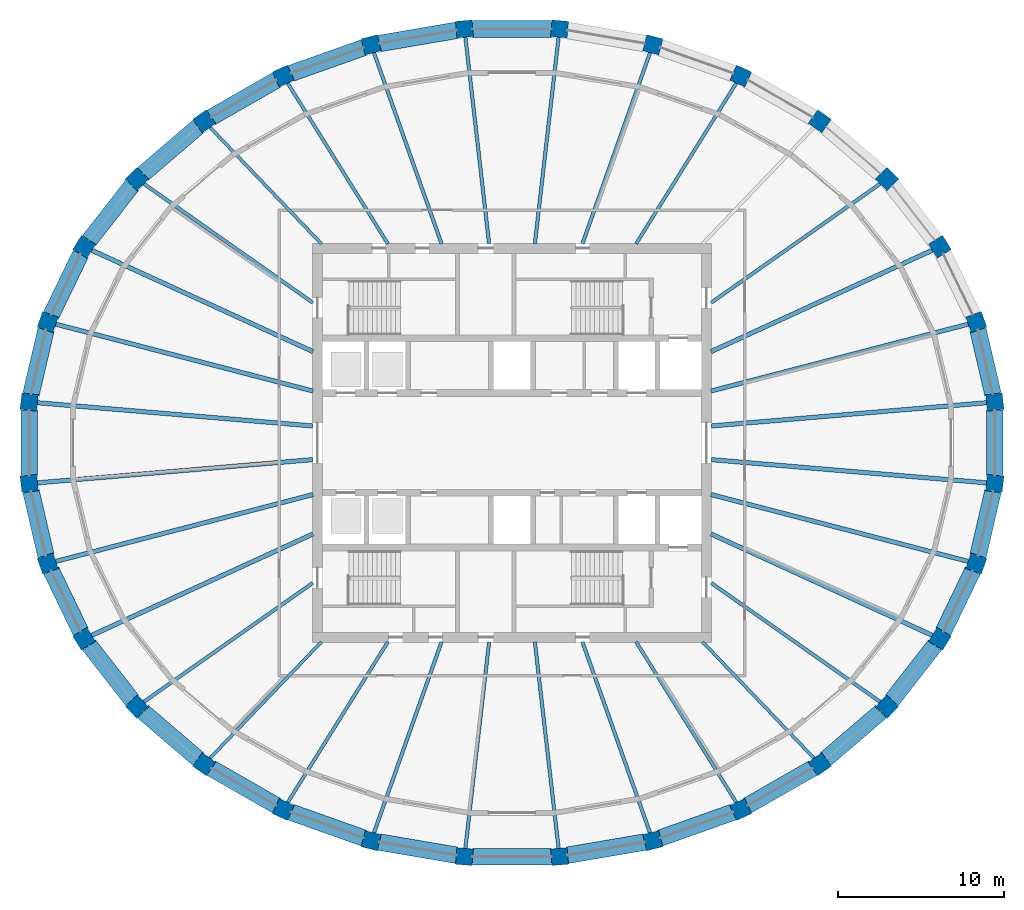
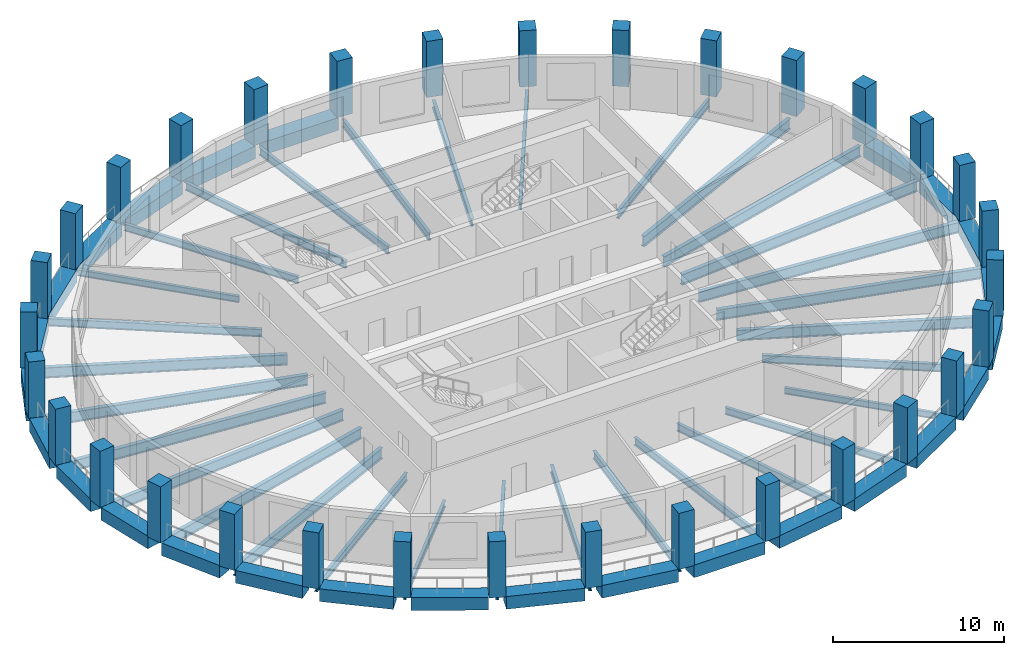
# One storey, part 1 of 10: 57 beams, 32 columns.
"""IFC4 building model written with IfcOpenShell, lengths in metres."""

from ifc_helpers import new_model, si_unit, direction, frame, origin, origin_2d, place, context, subcontext, project, spatial, rectangle, i_section, extrude, material, material_profile, profile_set, type_object, element, save


model = new_model("IFC4")

# Units and contexts
model_context = context("Model", 3, precision=1e-05, world=origin(), true_north=direction((0.0, 1.0)))
body_context = subcontext(model_context, "Body", "Model", "MODEL_VIEW")
ifc_project = project(units=[si_unit("LENGTHUNIT", "METRE"), si_unit("AREAUNIT", "SQUARE_METRE"), si_unit("VOLUMEUNIT", "CUBIC_METRE"), si_unit("PLANEANGLEUNIT", "RADIAN"), si_unit("MASSUNIT", "GRAM", prefix="KILO")], contexts=[model_context])

# Site, building, storey
site_placement = place(None, origin())
site = spatial("IfcSite", under=ifc_project, at=site_placement, CompositionType="ELEMENT")
building_placement = place(site_placement, origin())
building = spatial("IfcBuilding", under=site, at=building_placement, Name="Halqa Exchange Tower", CompositionType="ELEMENT")
storey_placement = place(building_placement, frame((0.0, 0.0, 296.300048828125)))
storey = spatial("IfcBuildingStorey", under=building, at=storey_placement, Name="L69", CompositionType="ELEMENT", Elevation=296.300048828125)

# Columns
ifc_material_1 = material(Name="Concrete C50/60", Category="concrete")
ifc_material_profile_1 = material_profile(ifc_material_1, rectangle(XDim=1.0, YDim=1.0, at=origin_2d()), Name="1000 x 1000")
ifc_profile_set_1 = profile_set([ifc_material_profile_1], Name="Concrete C50/60")
column_type = type_object("IfcColumnType", Name="RC ring column 1000 x 1000 C50/60", PredefinedType="COLUMN", material=ifc_profile_set_1)
for number, where, z_axis, x_axis, name in (
    (1, (29.043701171875, 2.451904296875, 0.0), (0.0, 0.0, 1.0), (-0.114162123735, 0.993462132899, 0.0), "Ring column 1"),
    (2, (27.927490234375, 7.261474609375, 0.0), (0.0, 0.0, 1.0), (-0.33362752424, 0.942704977747, 0.0), "Ring column 2"),
    (3, (25.73828125, 11.7919921875, 0.0), (0.0, 0.0, 1.0), (-0.529141977228, 0.848533303964, 0.0), "Ring column 3"),
    (4, (22.559814453125, 15.869384765625, 0.0), (0.0, 0.0, 1.0), (-0.691574830638, 0.722304820438, 0.0), "Ring column 4"),
    (5, (18.514404296875, 19.3369140625, 0.0), (0.0, 0.0, 1.0), (-0.817905775493, 0.575352189893, 0.0), "Ring column 5"),
    (6, (13.75732421875, 22.061279296875, 0.0), (0.0, 0.0, 1.0), (-0.909128549752, 0.416515641994, 0.0), "Ring column 6"),
    (7, (8.4716796875, 23.93798828125, 0.0), (0.0, 0.0, 1.0), (-0.967821260364, 0.251638645656, 0.0), "Ring column 7"),
    (8, (2.860595703125, 24.89453125, 0.0), (0.0, 0.0, 1.0), (-0.996456106239, 0.084114376531, 0.0), "Ring column 8"),
    (9, (-2.860595703125, 24.89453125, 0.0), (0.0, 0.0, 1.0), (-0.996456106239, -0.084114376531, 0.0), "Ring column 9"),
    (10, (-8.4716796875, 23.93798828125, 0.0), (0.0, 0.0, 1.0), (-0.967821260364, -0.251638645656, 0.0), "Ring column 10"),
    (11, (-13.75732421875, 22.061279296875, 0.0), (0.0, 0.0, 1.0), (-0.909128549752, -0.416515641994, 0.0), "Ring column 11"),
    (12, (-18.514404296875, 19.3369140625, 0.0), (0.0, 0.0, 1.0), (-0.817905775493, -0.575352189893, 0.0), "Ring column 12"),
    (13, (-22.559814453125, 15.869384765625, 0.0), (0.0, 0.0, 1.0), (-0.691574830638, -0.722304820438, 0.0), "Ring column 13"),
    (14, (-25.73828125, 11.7919921875, 0.0), (0.0, 0.0, 1.0), (-0.529141977228, -0.848533303964, 0.0), "Ring column 14"),
    (15, (-27.927490234375, 7.261474609375, 0.0), (0.0, 0.0, 1.0), (-0.33362752424, -0.942704977747, 0.0), "Ring column 15"),
    (16, (-29.043701171875, 2.451904296875, 0.0), (0.0, 0.0, 1.0), (-0.114162123735, -0.993462132899, 0.0), "Ring column 16"),
    (17, (-29.043701171875, -2.451904296875, 0.0), (0.0, 0.0, 1.0), (0.114162123735, -0.993462132899, 0.0), "Ring column 17"),
    (18, (-27.927490234375, -7.261474609375, 0.0), (0.0, 0.0, 1.0), (0.33362752424, -0.942704977747, 0.0), "Ring column 18"),
    (19, (-25.73828125, -11.7919921875, 0.0), (0.0, 0.0, 1.0), (0.529141977228, -0.848533303964, 0.0), "Ring column 19"),
    (20, (-22.559814453125, -15.869384765625, 0.0), (0.0, 0.0, 1.0), (0.691574830638, -0.722304820438, 0.0), "Ring column 20"),
    (21, (-18.514404296875, -19.3369140625, 0.0), (0.0, 0.0, 1.0), (0.817905775493, -0.575352189893, 0.0), "Ring column 21"),
    (22, (-13.75732421875, -22.061279296875, 0.0), (0.0, 0.0, 1.0), (0.909128549752, -0.416515641994, 0.0), "Ring column 22"),
    (23, (-8.4716796875, -23.93798828125, 0.0), (0.0, 0.0, 1.0), (0.967821260364, -0.251638645656, 0.0), "Ring column 23"),
    (24, (-2.860595703125, -24.89453125, 0.0), (0.0, 0.0, 1.0), (0.996456106239, -0.084114376531, 0.0), "Ring column 24"),
    (25, (2.860595703125, -24.89453125, 0.0), (0.0, 0.0, 1.0), (0.996456106239, 0.084114376531, 0.0), "Ring column 25"),
    (26, (8.4716796875, -23.93798828125, 0.0), (0.0, 0.0, 1.0), (0.967821260364, 0.251638645656, 0.0), "Ring column 26"),
    (27, (13.75732421875, -22.061279296875, 0.0), (0.0, 0.0, 1.0), (0.909128549752, 0.416515641994, 0.0), "Ring column 27"),
    (28, (18.514404296875, -19.3369140625, 0.0), (0.0, 0.0, 1.0), (0.817905775493, 0.575352189893, 0.0), "Ring column 28"),
    (29, (22.559814453125, -15.869384765625, 0.0), (0.0, 0.0, 1.0), (0.691574830638, 0.722304820438, 0.0), "Ring column 29"),
    (30, (25.73828125, -11.7919921875, 0.0), (0.0, 0.0, 1.0), (0.529141977228, 0.848533303964, 0.0), "Ring column 30"),
    (31, (27.927490234375, -7.261474609375, 0.0), (0.0, 0.0, 1.0), (0.33362752424, 0.942704977747, 0.0), "Ring column 31"),
    (32, (29.043701171875, -2.451904296875, 0.0), (0.0, 0.0, 1.0), (0.114162123735, 0.993462132899, 0.0), "Ring column 32"),
):
    element("IfcColumn", number, at=place(storey_placement, frame(where, z_axis=z_axis, x_axis=x_axis)), inside=storey, type_object=column_type, Name=name, PredefinedType="COLUMN", context=body_context, shape_type="SweptSolid", body=[
        extrude(rectangle(XDim=1.0, YDim=1.0, at=origin_2d()), origin(), (0.0, 0.0, 1.0), 4.0),
    ])

# Beams
ifc_material_2 = material(Name="Steel S355", Category="steel")
ifc_material_profile_2 = material_profile(ifc_material_2, i_section(OverallWidth=0.18994140625, OverallDepth=0.449951171875, WebThickness=0.009521484375, FlangeThickness=0.0146484375, FilletRadius=0.02099609375, at=origin_2d()), Name="IPE 450")
ifc_profile_set_2 = profile_set([ifc_material_profile_2], Name="Steel S355")
beam_type_1 = type_object("IfcBeamType", Name="Floor beam IPE 450", PredefinedType="BEAM", material=ifc_profile_set_2)
for number, where, z_axis, x_axis, name in (
    (33, (-11.462890625, 11.97216796875, -0.525146484375), (-0.691588333375, 0.722291891924, 0.0), (-0.722291891924, -0.691588333375, 0.0), "Radial beam 12"),
    (34, (-11.462890625, -11.97216796875, -0.525146484375), (-0.691588333375, -0.722291891924, 0.0), (0.722291891924, -0.691588333375, 0.0), "Radial beam 21"),
    (35, (11.462890625, -11.97216796875, -0.525146484375), (0.691588333375, -0.722291891924, 0.0), (0.722291891924, 0.691588333375, 0.0), "Radial beam 28"),
):
    element("IfcBeam", number, at=place(storey_placement, frame(where, z_axis=z_axis, x_axis=x_axis)), inside=storey, type_object=beam_type_1, Name=name, PredefinedType="BEAM", context=body_context, shape_type="SweptSolid", body=[
        extrude(i_section(OverallWidth=0.18994140625, OverallDepth=0.449951171875, WebThickness=0.009521484375, FlangeThickness=0.0146484375, FilletRadius=0.02099609375, at=origin_2d()), origin(), (0.0, 0.0, 1.0), 9.820068359375),
    ])
ifc_material_profile_3 = material_profile(ifc_material_2, i_section(OverallWidth=0.199951171875, OverallDepth=0.5, WebThickness=0.01025390625, FlangeThickness=0.01611328125, FilletRadius=0.02099609375, at=origin_2d()), Name="IPE 500")
ifc_profile_set_3 = profile_set([ifc_material_profile_3], Name="Steel S355")
beam_type_2 = type_object("IfcBeamType", Name="Floor beam IPE 500", PredefinedType="BEAM", material=ifc_profile_set_3)
for number, where, z_axis, x_axis, name in (
    (36, (7.4658203125, 11.97216796875, -0.550048828125), (0.529140986863, 0.84853392155, 0.0), (-0.84853392155, 0.529140986863, 0.0), "Radial beam 6"),
    (37, (-7.4658203125, 11.97216796875, -0.550048828125), (-0.529140986863, 0.84853392155, 0.0), (-0.84853392155, -0.529140986863, 0.0), "Radial beam 11"),
    (38, (-7.4658203125, -11.97216796875, -0.550048828125), (-0.529140986863, -0.84853392155, 0.0), (0.84853392155, -0.529140986863, 0.0), "Radial beam 22"),
    (39, (7.4658203125, -11.97216796875, -0.550048828125), (0.529140986863, -0.84853392155, 0.0), (0.84853392155, 0.529140986863, 0.0), "Radial beam 27"),
):
    element("IfcBeam", number, at=place(storey_placement, frame(where, z_axis=z_axis, x_axis=x_axis)), inside=storey, type_object=beam_type_2, Name=name, PredefinedType="BEAM", context=body_context, shape_type="SweptSolid", body=[
        extrude(i_section(OverallWidth=0.199951171875, OverallDepth=0.5, WebThickness=0.01025390625, FlangeThickness=0.01611328125, FilletRadius=0.02099609375, at=origin_2d()), origin(), (0.0, 0.0, 1.0), 11.513916015625),
    ])
ifc_material_profile_4 = material_profile(ifc_material_2, i_section(OverallWidth=0.2099609375, OverallDepth=0.550048828125, WebThickness=0.010986328125, FlangeThickness=0.01708984375, FilletRadius=0.02392578125, at=origin_2d()), Name="IPE 550")
ifc_profile_set_4 = profile_set([ifc_material_profile_4], Name="Steel S355")
beam_type_3 = type_object("IfcBeamType", Name="Floor beam IPE 550", PredefinedType="BEAM", material=ifc_profile_set_4)
beam_1_placement = place(storey_placement, frame((11.97265625, 8.422119140625, -0.574951171875), z_axis=(0.817911036207, 0.575344711326, 0.0), x_axis=(-0.575344711326, 0.817911036207, 0.0)))
element("IfcBeam", 40, at=beam_1_placement, inside=storey, type_object=beam_type_3, Name="Radial beam 4", PredefinedType="BEAM", context=body_context, shape_type="SweptSolid", body=[
    extrude(i_section(OverallWidth=0.2099609375, OverallDepth=0.550048828125, WebThickness=0.010986328125, FlangeThickness=0.01708984375, FilletRadius=0.02392578125, at=origin_2d()), origin(), (0.0, 0.0, 1.0), 12.568115234375),
])
beam_2_placement = place(storey_placement, frame((4.23681640625, 11.971923828125, -0.574951171875), z_axis=(0.333635823511, 0.942702040557, 0.0), x_axis=(-0.942702040557, 0.333635823511, 0.0)))
element("IfcBeam", 41, at=beam_2_placement, inside=storey, type_object=beam_type_3, Name="Radial beam 7", PredefinedType="BEAM", context=body_context, shape_type="SweptSolid", body=[
    extrude(i_section(OverallWidth=0.2099609375, OverallDepth=0.550048828125, WebThickness=0.010986328125, FlangeThickness=0.01708984375, FilletRadius=0.02392578125, at=origin_2d()), origin(), (0.0, 0.0, 1.0), 12.319091796875),
])
for number, where, z_axis, x_axis, name in (
    (42, (1.375732421875, 11.9716796875, -0.574951171875), (0.114150341895, 0.99346348672, 0.0), (-0.99346348672, 0.114150341895, 0.0), "Radial beam 8"),
    (43, (-1.375732421875, 11.9716796875, -0.574951171875), (-0.114150341895, 0.99346348672, 0.0), (-0.99346348672, -0.114150341895, 0.0), "Radial beam 9"),
):
    element("IfcBeam", number, at=place(storey_placement, frame(where, z_axis=z_axis, x_axis=x_axis)), inside=storey, type_object=beam_type_3, Name=name, PredefinedType="BEAM", context=body_context, shape_type="SweptSolid", body=[
        extrude(i_section(OverallWidth=0.2099609375, OverallDepth=0.550048828125, WebThickness=0.010986328125, FlangeThickness=0.01708984375, FilletRadius=0.02392578125, at=origin_2d()), origin(), (0.0, 0.0, 1.0), 12.6357421875),
    ])
beam_3_placement = place(storey_placement, frame((-4.23681640625, 11.971923828125, -0.574951171875), z_axis=(-0.333635823511, 0.942702040557, 0.0), x_axis=(-0.942702040557, -0.333635823511, 0.0)))
element("IfcBeam", 44, at=beam_3_placement, inside=storey, type_object=beam_type_3, Name="Radial beam 10", PredefinedType="BEAM", context=body_context, shape_type="SweptSolid", body=[
    extrude(i_section(OverallWidth=0.2099609375, OverallDepth=0.550048828125, WebThickness=0.010986328125, FlangeThickness=0.01708984375, FilletRadius=0.02392578125, at=origin_2d()), origin(), (0.0, 0.0, 1.0), 12.319091796875),
])
for number, where, z_axis, x_axis, name in (
    (45, (-11.97265625, 8.422119140625, -0.574951171875), (-0.817911036207, 0.575344711326, 0.0), (-0.575344711326, -0.817911036207, 0.0), "Radial beam 13"),
    (46, (-11.97265625, -8.422119140625, -0.574951171875), (-0.817911036207, -0.575344711326, 0.0), (0.575344711326, -0.817911036207, 0.0), "Radial beam 20"),
):
    element("IfcBeam", number, at=place(storey_placement, frame(where, z_axis=z_axis, x_axis=x_axis)), inside=storey, type_object=beam_type_3, Name=name, PredefinedType="BEAM", context=body_context, shape_type="SweptSolid", body=[
        extrude(i_section(OverallWidth=0.2099609375, OverallDepth=0.550048828125, WebThickness=0.010986328125, FlangeThickness=0.01708984375, FilletRadius=0.02392578125, at=origin_2d()), origin(), (0.0, 0.0, 1.0), 12.568115234375),
    ])
beam_4_placement = place(storey_placement, frame((-4.23681640625, -11.971923828125, -0.574951171875), z_axis=(-0.333635823511, -0.942702040557, 0.0), x_axis=(0.942702040557, -0.333635823511, 0.0)))
element("IfcBeam", 47, at=beam_4_placement, inside=storey, type_object=beam_type_3, Name="Radial beam 23", PredefinedType="BEAM", context=body_context, shape_type="SweptSolid", body=[
    extrude(i_section(OverallWidth=0.2099609375, OverallDepth=0.550048828125, WebThickness=0.010986328125, FlangeThickness=0.01708984375, FilletRadius=0.02392578125, at=origin_2d()), origin(), (0.0, 0.0, 1.0), 12.319091796875),
])
for number, where, z_axis, x_axis, name in (
    (48, (-1.375732421875, -11.9716796875, -0.574951171875), (-0.114150341895, -0.99346348672, 0.0), (0.99346348672, -0.114150341895, 0.0), "Radial beam 24"),
    (49, (1.375732421875, -11.9716796875, -0.574951171875), (0.114150341895, -0.99346348672, 0.0), (0.99346348672, 0.114150341895, 0.0), "Radial beam 25"),
):
    element("IfcBeam", number, at=place(storey_placement, frame(where, z_axis=z_axis, x_axis=x_axis)), inside=storey, type_object=beam_type_3, Name=name, PredefinedType="BEAM", context=body_context, shape_type="SweptSolid", body=[
        extrude(i_section(OverallWidth=0.2099609375, OverallDepth=0.550048828125, WebThickness=0.010986328125, FlangeThickness=0.01708984375, FilletRadius=0.02392578125, at=origin_2d()), origin(), (0.0, 0.0, 1.0), 12.6357421875),
    ])
beam_5_placement = place(storey_placement, frame((4.23681640625, -11.971923828125, -0.574951171875), z_axis=(0.333635823511, -0.942702040557, 0.0), x_axis=(0.942702040557, 0.333635823511, 0.0)))
element("IfcBeam", 50, at=beam_5_placement, inside=storey, type_object=beam_type_3, Name="Radial beam 26", PredefinedType="BEAM", context=body_context, shape_type="SweptSolid", body=[
    extrude(i_section(OverallWidth=0.2099609375, OverallDepth=0.550048828125, WebThickness=0.010986328125, FlangeThickness=0.01708984375, FilletRadius=0.02392578125, at=origin_2d()), origin(), (0.0, 0.0, 1.0), 12.319091796875),
])
beam_6_placement = place(storey_placement, frame((11.97265625, -8.422119140625, -0.574951171875), z_axis=(0.817911036207, -0.575344711326, 0.0), x_axis=(0.575344711326, 0.817911036207, 0.0)))
element("IfcBeam", 51, at=beam_6_placement, inside=storey, type_object=beam_type_3, Name="Radial beam 29", PredefinedType="BEAM", context=body_context, shape_type="SweptSolid", body=[
    extrude(i_section(OverallWidth=0.2099609375, OverallDepth=0.550048828125, WebThickness=0.010986328125, FlangeThickness=0.01708984375, FilletRadius=0.02392578125, at=origin_2d()), origin(), (0.0, 0.0, 1.0), 12.568115234375),
])
ifc_material_profile_5 = material_profile(ifc_material_2, i_section(OverallWidth=0.264892578125, OverallDepth=0.7529296875, WebThickness=0.01318359375, FlangeThickness=0.01708984375, FilletRadius=0.01708984375, at=origin_2d()), Name="IPE 750x147")
ifc_profile_set_5 = profile_set([ifc_material_profile_5], Name="Steel S355")
beam_type_4 = type_object("IfcBeamType", Name="Floor beam IPE 750x147", PredefinedType="BEAM", material=ifc_profile_set_5)
beam_7_placement = place(storey_placement, frame((11.972900390625, 1.0107421875, -0.676513671875), z_axis=(0.996455157538, 0.084125614508, 0.0), x_axis=(-0.084125614508, 0.996455157538, 0.0)))
element("IfcBeam", 52, at=beam_7_placement, inside=storey, type_object=beam_type_4, Name="Radial beam 1", PredefinedType="BEAM", context=body_context, shape_type="SweptSolid", body=[
    extrude(i_section(OverallWidth=0.264892578125, OverallDepth=0.7529296875, WebThickness=0.01318359375, FlangeThickness=0.01708984375, FilletRadius=0.01708984375, at=origin_2d()), origin(), (0.0, 0.0, 1.0), 16.759521484375),
])
beam_8_placement = place(storey_placement, frame((11.97265625, 3.113037109375, -0.676513671875), z_axis=(0.967817635261, 0.251652587662, 0.0), x_axis=(-0.251652587662, 0.967817635261, 0.0)))
element("IfcBeam", 53, at=beam_8_placement, inside=storey, type_object=beam_type_4, Name="Radial beam 2", PredefinedType="BEAM", context=body_context, shape_type="SweptSolid", body=[
    extrude(i_section(OverallWidth=0.264892578125, OverallDepth=0.7529296875, WebThickness=0.01318359375, FlangeThickness=0.01708984375, FilletRadius=0.01708984375, at=origin_2d()), origin(), (0.0, 0.0, 1.0), 16.111328125),
])
for number, where, z_axis, x_axis, name in (
    (54, (11.972412109375, 5.485107421875, -0.676513671875), (0.909124046838, 0.416525470363, 0.0), (-0.416525470363, 0.909124046838, 0.0), "Radial beam 3"),
    (55, (-11.972412109375, 5.485107421875, -0.676513671875), (-0.909124046838, 0.416525470363, 0.0), (-0.416525470363, -0.909124046838, 0.0), "Radial beam 14"),
):
    element("IfcBeam", number, at=place(storey_placement, frame(where, z_axis=z_axis, x_axis=x_axis)), inside=storey, type_object=beam_type_4, Name=name, PredefinedType="BEAM", context=body_context, shape_type="SweptSolid", body=[
        extrude(i_section(OverallWidth=0.264892578125, OverallDepth=0.7529296875, WebThickness=0.01318359375, FlangeThickness=0.01708984375, FilletRadius=0.01708984375, at=origin_2d()), origin(), (0.0, 0.0, 1.0), 14.765869140625),
    ])
beam_9_placement = place(storey_placement, frame((-11.97265625, 3.113037109375, -0.676513671875), z_axis=(-0.967817635261, 0.251652587662, 0.0), x_axis=(-0.251652587662, -0.967817635261, 0.0)))
element("IfcBeam", 56, at=beam_9_placement, inside=storey, type_object=beam_type_4, Name="Radial beam 15", PredefinedType="BEAM", context=body_context, shape_type="SweptSolid", body=[
    extrude(i_section(OverallWidth=0.264892578125, OverallDepth=0.7529296875, WebThickness=0.01318359375, FlangeThickness=0.01708984375, FilletRadius=0.01708984375, at=origin_2d()), origin(), (0.0, 0.0, 1.0), 16.111328125),
])
for number, where, z_axis, x_axis, name in (
    (57, (-11.972900390625, 1.0107421875, -0.676513671875), (-0.996455157538, 0.084125614508, 0.0), (-0.084125614508, -0.996455157538, 0.0), "Radial beam 16"),
    (58, (-11.972900390625, -1.0107421875, -0.676513671875), (-0.996455157538, -0.084125614508, 0.0), (0.084125614508, -0.996455157538, 0.0), "Radial beam 17"),
):
    element("IfcBeam", number, at=place(storey_placement, frame(where, z_axis=z_axis, x_axis=x_axis)), inside=storey, type_object=beam_type_4, Name=name, PredefinedType="BEAM", context=body_context, shape_type="SweptSolid", body=[
        extrude(i_section(OverallWidth=0.264892578125, OverallDepth=0.7529296875, WebThickness=0.01318359375, FlangeThickness=0.01708984375, FilletRadius=0.01708984375, at=origin_2d()), origin(), (0.0, 0.0, 1.0), 16.759521484375),
    ])
beam_10_placement = place(storey_placement, frame((-11.97265625, -3.113037109375, -0.676513671875), z_axis=(-0.967817635261, -0.251652587662, 0.0), x_axis=(0.251652587662, -0.967817635261, 0.0)))
element("IfcBeam", 59, at=beam_10_placement, inside=storey, type_object=beam_type_4, Name="Radial beam 18", PredefinedType="BEAM", context=body_context, shape_type="SweptSolid", body=[
    extrude(i_section(OverallWidth=0.264892578125, OverallDepth=0.7529296875, WebThickness=0.01318359375, FlangeThickness=0.01708984375, FilletRadius=0.01708984375, at=origin_2d()), origin(), (0.0, 0.0, 1.0), 16.111328125),
])
for number, where, z_axis, x_axis, name in (
    (60, (-11.972412109375, -5.485107421875, -0.676513671875), (-0.909124046838, -0.416525470363, 0.0), (0.416525470363, -0.909124046838, 0.0), "Radial beam 19"),
    (61, (11.972412109375, -5.485107421875, -0.676513671875), (0.909124046838, -0.416525470363, 0.0), (0.416525470363, 0.909124046838, 0.0), "Radial beam 30"),
):
    element("IfcBeam", number, at=place(storey_placement, frame(where, z_axis=z_axis, x_axis=x_axis)), inside=storey, type_object=beam_type_4, Name=name, PredefinedType="BEAM", context=body_context, shape_type="SweptSolid", body=[
        extrude(i_section(OverallWidth=0.264892578125, OverallDepth=0.7529296875, WebThickness=0.01318359375, FlangeThickness=0.01708984375, FilletRadius=0.01708984375, at=origin_2d()), origin(), (0.0, 0.0, 1.0), 14.765869140625),
    ])
beam_11_placement = place(storey_placement, frame((11.97265625, -3.113037109375, -0.676513671875), z_axis=(0.967817635261, -0.251652587662, 0.0), x_axis=(0.251652587662, 0.967817635261, 0.0)))
element("IfcBeam", 62, at=beam_11_placement, inside=storey, type_object=beam_type_4, Name="Radial beam 31", PredefinedType="BEAM", context=body_context, shape_type="SweptSolid", body=[
    extrude(i_section(OverallWidth=0.264892578125, OverallDepth=0.7529296875, WebThickness=0.01318359375, FlangeThickness=0.01708984375, FilletRadius=0.01708984375, at=origin_2d()), origin(), (0.0, 0.0, 1.0), 16.111328125),
])
beam_12_placement = place(storey_placement, frame((11.972900390625, -1.0107421875, -0.676513671875), z_axis=(0.996455157538, -0.084125614508, 0.0), x_axis=(0.084125614508, 0.996455157538, 0.0)))
element("IfcBeam", 63, at=beam_12_placement, inside=storey, type_object=beam_type_4, Name="Radial beam 32", PredefinedType="BEAM", context=body_context, shape_type="SweptSolid", body=[
    extrude(i_section(OverallWidth=0.264892578125, OverallDepth=0.7529296875, WebThickness=0.01318359375, FlangeThickness=0.01708984375, FilletRadius=0.01708984375, at=origin_2d()), origin(), (0.0, 0.0, 1.0), 16.759521484375),
])
ifc_material_3 = material(Name="Concrete C60/75", Category="concrete")
ifc_material_profile_6 = material_profile(ifc_material_3, rectangle(XDim=1.0, YDim=0.89990234375, at=origin_2d()), Name="1000 x 900")
ifc_profile_set_6 = profile_set([ifc_material_profile_6], Name="Concrete C60/75")
beam_type_5 = type_object("IfcBeamType", Name="RC spandrel beam 1000 x 900 C60/75", PredefinedType="SPANDREL", material=ifc_profile_set_6)
beam_13_placement = place(storey_placement, frame((28.936279296875, 2.91455078125, -0.449951171875), z_axis=(-0.226066435944, 0.974111886048, 0.0), x_axis=(-0.974111886048, -0.226066435944, 0.0)))
element("IfcBeam", 64, at=beam_13_placement, inside=storey, type_object=beam_type_5, Name="Spandrel 1", PredefinedType="SPANDREL", context=body_context, shape_type="SweptSolid", body=[
    extrude(rectangle(XDim=1.0, YDim=0.89990234375, at=origin_2d()), origin(), (0.0, 0.0, 1.0), 3.98828125),
])
beam_14_placement = place(storey_placement, frame((2.38671875, 24.89453125, -0.449951171875), z_axis=(-1.0, 0.0, 0.0), x_axis=(0.0, -1.0, 0.0)))
element("IfcBeam", 65, at=beam_14_placement, inside=storey, type_object=beam_type_5, Name="Spandrel 8", PredefinedType="SPANDREL", context=body_context, shape_type="SweptSolid", body=[
    extrude(rectangle(XDim=1.0, YDim=0.89990234375, at=origin_2d()), origin(), (0.0, 0.0, 1.0), 4.7734375),
])
beam_15_placement = place(storey_placement, frame((-3.327880859375, 24.814697265625, -0.449951171875), z_axis=(-0.985779293953, -0.168045183248, 0.0), x_axis=(0.168045183248, -0.985779293953, 0.0)))
element("IfcBeam", 66, at=beam_15_placement, inside=storey, type_object=beam_type_5, Name="Spandrel 9", PredefinedType="SPANDREL", context=body_context, shape_type="SweptSolid", body=[
    extrude(rectangle(XDim=1.0, YDim=0.89990234375, at=origin_2d()), origin(), (0.0, 0.0, 1.0), 4.743408203125),
])
beam_16_placement = place(storey_placement, frame((-8.91748046875, 23.779541015625, -0.449951171875), z_axis=(-0.942367036973, -0.334580883535, 0.0), x_axis=(0.334580883535, -0.942367036973, 0.0)))
element("IfcBeam", 67, at=beam_16_placement, inside=storey, type_object=beam_type_5, Name="Spandrel 10", PredefinedType="SPANDREL", context=body_context, shape_type="SweptSolid", body=[
    extrude(rectangle(XDim=1.0, YDim=0.89990234375, at=origin_2d()), origin(), (0.0, 0.0, 1.0), 4.662109375),
])
beam_17_placement = place(storey_placement, frame((-14.169189453125, 21.825439453125, -0.449951171875), z_axis=(-0.867765502357, -0.496973875489, 0.0), x_axis=(0.496973875489, -0.867765502357, 0.0)))
element("IfcBeam", 68, at=beam_17_placement, inside=storey, type_object=beam_type_5, Name="Spandrel 11", PredefinedType="SPANDREL", context=body_context, shape_type="SweptSolid", body=[
    extrude(rectangle(XDim=1.0, YDim=0.89990234375, at=origin_2d()), origin(), (0.0, 0.0, 1.0), 4.533203125),
])
beam_18_placement = place(storey_placement, frame((-18.875, 19.02783203125, -0.449951171875), z_axis=(-0.759244795716, -0.650805147627, 0.0), x_axis=(0.650805147627, -0.759244795716, 0.0)))
element("IfcBeam", 69, at=beam_18_placement, inside=storey, type_object=beam_type_5, Name="Spandrel 12", PredefinedType="SPANDREL", context=body_context, shape_type="SweptSolid", body=[
    extrude(rectangle(XDim=1.0, YDim=0.89990234375, at=origin_2d()), origin(), (0.0, 0.0, 1.0), 4.37890625),
])
beam_19_placement = place(storey_placement, frame((-22.850830078125, 15.49560546875, -0.449951171875), z_axis=(-0.614849113514, -0.788644766426, 0.0), x_axis=(0.788644766426, -0.614849113514, 0.0)))
element("IfcBeam", 70, at=beam_19_placement, inside=storey, type_object=beam_type_5, Name="Spandrel 13", PredefinedType="SPANDREL", context=body_context, shape_type="SweptSolid", body=[
    extrude(rectangle(XDim=1.0, YDim=0.89990234375, at=origin_2d()), origin(), (0.0, 0.0, 1.0), 4.22119140625),
])
beam_20_placement = place(storey_placement, frame((-25.944580078125, 11.364990234375, -0.449951171875), z_axis=(-0.435091897701, -0.900386050844, 0.0), x_axis=(0.900386050844, -0.435091897701, 0.0)))
element("IfcBeam", 71, at=beam_20_placement, inside=storey, type_object=beam_type_5, Name="Spandrel 14", PredefinedType="SPANDREL", context=body_context, shape_type="SweptSolid", body=[
    extrude(rectangle(XDim=1.0, YDim=0.89990234375, at=origin_2d()), origin(), (0.0, 0.0, 1.0), 4.082275390625),
])
beam_21_placement = place(storey_placement, frame((-28.03466796875, 6.799560546875, -0.449951171875), z_axis=(-0.226066435944, -0.974111886048, 0.0), x_axis=(0.974111886048, -0.226066435944, 0.0)))
element("IfcBeam", 72, at=beam_21_placement, inside=storey, type_object=beam_type_5, Name="Spandrel 15", PredefinedType="SPANDREL", context=body_context, shape_type="SweptSolid", body=[
    extrude(rectangle(XDim=1.0, YDim=0.89990234375, at=origin_2d()), origin(), (0.0, 0.0, 1.0), 3.98828125),
])
beam_22_placement = place(storey_placement, frame((-29.043701171875, 1.9765625, -0.449951171875), z_axis=(0.0, -1.0, 0.0), x_axis=(1.0, 0.0, 0.0)))
element("IfcBeam", 73, at=beam_22_placement, inside=storey, type_object=beam_type_5, Name="Spandrel 16", PredefinedType="SPANDREL", context=body_context, shape_type="SweptSolid", body=[
    extrude(rectangle(XDim=1.0, YDim=0.89990234375, at=origin_2d()), origin(), (0.0, 0.0, 1.0), 3.953125),
])
beam_23_placement = place(storey_placement, frame((-28.936279296875, -2.91455078125, -0.449951171875), z_axis=(0.226066435944, -0.974111886048, 0.0), x_axis=(0.974111886048, 0.226066435944, 0.0)))
element("IfcBeam", 74, at=beam_23_placement, inside=storey, type_object=beam_type_5, Name="Spandrel 17", PredefinedType="SPANDREL", context=body_context, shape_type="SweptSolid", body=[
    extrude(rectangle(XDim=1.0, YDim=0.89990234375, at=origin_2d()), origin(), (0.0, 0.0, 1.0), 3.98828125),
])
beam_24_placement = place(storey_placement, frame((-27.720703125, -7.689453125, -0.449951171875), z_axis=(0.435091897701, -0.900386050844, 0.0), x_axis=(0.900386050844, 0.435091897701, 0.0)))
element("IfcBeam", 75, at=beam_24_placement, inside=storey, type_object=beam_type_5, Name="Spandrel 18", PredefinedType="SPANDREL", context=body_context, shape_type="SweptSolid", body=[
    extrude(rectangle(XDim=1.0, YDim=0.89990234375, at=origin_2d()), origin(), (0.0, 0.0, 1.0), 4.082275390625),
])
beam_25_placement = place(storey_placement, frame((-25.4462890625, -12.16650390625, -0.449951171875), z_axis=(0.614849113514, -0.788644766426, 0.0), x_axis=(0.788644766426, 0.614849113514, 0.0)))
element("IfcBeam", 76, at=beam_25_placement, inside=storey, type_object=beam_type_5, Name="Spandrel 19", PredefinedType="SPANDREL", context=body_context, shape_type="SweptSolid", body=[
    extrude(rectangle(XDim=1.0, YDim=0.89990234375, at=origin_2d()), origin(), (0.0, 0.0, 1.0), 4.22119140625),
])
beam_26_placement = place(storey_placement, frame((-22.19970703125, -16.177978515625, -0.449951171875), z_axis=(0.759244795716, -0.650805147627, 0.0), x_axis=(0.650805147627, 0.759244795716, 0.0)))
element("IfcBeam", 77, at=beam_26_placement, inside=storey, type_object=beam_type_5, Name="Spandrel 20", PredefinedType="SPANDREL", context=body_context, shape_type="SweptSolid", body=[
    extrude(rectangle(XDim=1.0, YDim=0.89990234375, at=origin_2d()), origin(), (0.0, 0.0, 1.0), 4.37890625),
])
beam_27_placement = place(storey_placement, frame((-18.10302734375, -19.572509765625, -0.449951171875), z_axis=(0.867765502357, -0.496973875489, 0.0), x_axis=(0.496973875489, 0.867765502357, 0.0)))
element("IfcBeam", 78, at=beam_27_placement, inside=storey, type_object=beam_type_5, Name="Spandrel 21", PredefinedType="SPANDREL", context=body_context, shape_type="SweptSolid", body=[
    extrude(rectangle(XDim=1.0, YDim=0.89990234375, at=origin_2d()), origin(), (0.0, 0.0, 1.0), 4.533203125),
])
beam_28_placement = place(storey_placement, frame((-13.310791015625, -22.2197265625, -0.449951171875), z_axis=(0.942367036973, -0.334580883535, 0.0), x_axis=(0.334580883535, 0.942367036973, 0.0)))
element("IfcBeam", 79, at=beam_28_placement, inside=storey, type_object=beam_type_5, Name="Spandrel 22", PredefinedType="SPANDREL", context=body_context, shape_type="SweptSolid", body=[
    extrude(rectangle(XDim=1.0, YDim=0.89990234375, at=origin_2d()), origin(), (0.0, 0.0, 1.0), 4.662109375),
])
beam_29_placement = place(storey_placement, frame((-8.00390625, -24.017578125, -0.449951171875), z_axis=(0.985779293953, -0.168045183248, 0.0), x_axis=(0.168045183248, 0.985779293953, 0.0)))
element("IfcBeam", 80, at=beam_29_placement, inside=storey, type_object=beam_type_5, Name="Spandrel 23", PredefinedType="SPANDREL", context=body_context, shape_type="SweptSolid", body=[
    extrude(rectangle(XDim=1.0, YDim=0.89990234375, at=origin_2d()), origin(), (0.0, 0.0, 1.0), 4.743408203125),
])
beam_30_placement = place(storey_placement, frame((-2.38671875, -24.89453125, -0.449951171875), z_axis=(1.0, 0.0, 0.0), x_axis=(0.0, 1.0, 0.0)))
element("IfcBeam", 81, at=beam_30_placement, inside=storey, type_object=beam_type_5, Name="Spandrel 24", PredefinedType="SPANDREL", context=body_context, shape_type="SweptSolid", body=[
    extrude(rectangle(XDim=1.0, YDim=0.89990234375, at=origin_2d()), origin(), (0.0, 0.0, 1.0), 4.7734375),
])
beam_31_placement = place(storey_placement, frame((3.327880859375, -24.814697265625, -0.449951171875), z_axis=(0.985779293953, 0.168045183248, 0.0), x_axis=(-0.168045183248, 0.985779293953, 0.0)))
element("IfcBeam", 82, at=beam_31_placement, inside=storey, type_object=beam_type_5, Name="Spandrel 25", PredefinedType="SPANDREL", context=body_context, shape_type="SweptSolid", body=[
    extrude(rectangle(XDim=1.0, YDim=0.89990234375, at=origin_2d()), origin(), (0.0, 0.0, 1.0), 4.743408203125),
])
beam_32_placement = place(storey_placement, frame((8.91748046875, -23.779541015625, -0.449951171875), z_axis=(0.942367036973, 0.334580883535, 0.0), x_axis=(-0.334580883535, 0.942367036973, 0.0)))
element("IfcBeam", 83, at=beam_32_placement, inside=storey, type_object=beam_type_5, Name="Spandrel 26", PredefinedType="SPANDREL", context=body_context, shape_type="SweptSolid", body=[
    extrude(rectangle(XDim=1.0, YDim=0.89990234375, at=origin_2d()), origin(), (0.0, 0.0, 1.0), 4.662109375),
])
beam_33_placement = place(storey_placement, frame((14.169189453125, -21.825439453125, -0.449951171875), z_axis=(0.867765502357, 0.496973875489, 0.0), x_axis=(-0.496973875489, 0.867765502357, 0.0)))
element("IfcBeam", 84, at=beam_33_placement, inside=storey, type_object=beam_type_5, Name="Spandrel 27", PredefinedType="SPANDREL", context=body_context, shape_type="SweptSolid", body=[
    extrude(rectangle(XDim=1.0, YDim=0.89990234375, at=origin_2d()), origin(), (0.0, 0.0, 1.0), 4.533203125),
])
beam_34_placement = place(storey_placement, frame((18.875, -19.02783203125, -0.449951171875), z_axis=(0.759244795716, 0.650805147627, 0.0), x_axis=(-0.650805147627, 0.759244795716, 0.0)))
element("IfcBeam", 85, at=beam_34_placement, inside=storey, type_object=beam_type_5, Name="Spandrel 28", PredefinedType="SPANDREL", context=body_context, shape_type="SweptSolid", body=[
    extrude(rectangle(XDim=1.0, YDim=0.89990234375, at=origin_2d()), origin(), (0.0, 0.0, 1.0), 4.37890625),
])
beam_35_placement = place(storey_placement, frame((22.850830078125, -15.49560546875, -0.449951171875), z_axis=(0.614849113514, 0.788644766426, 0.0), x_axis=(-0.788644766426, 0.614849113514, 0.0)))
element("IfcBeam", 86, at=beam_35_placement, inside=storey, type_object=beam_type_5, Name="Spandrel 29", PredefinedType="SPANDREL", context=body_context, shape_type="SweptSolid", body=[
    extrude(rectangle(XDim=1.0, YDim=0.89990234375, at=origin_2d()), origin(), (0.0, 0.0, 1.0), 4.22119140625),
])
beam_36_placement = place(storey_placement, frame((25.944580078125, -11.364990234375, -0.449951171875), z_axis=(0.435091897701, 0.900386050844, 0.0), x_axis=(-0.900386050844, 0.435091897701, 0.0)))
element("IfcBeam", 87, at=beam_36_placement, inside=storey, type_object=beam_type_5, Name="Spandrel 30", PredefinedType="SPANDREL", context=body_context, shape_type="SweptSolid", body=[
    extrude(rectangle(XDim=1.0, YDim=0.89990234375, at=origin_2d()), origin(), (0.0, 0.0, 1.0), 4.082275390625),
])
beam_37_placement = place(storey_placement, frame((28.03466796875, -6.799560546875, -0.449951171875), z_axis=(0.226066435944, 0.974111886048, 0.0), x_axis=(-0.974111886048, 0.226066435944, 0.0)))
element("IfcBeam", 88, at=beam_37_placement, inside=storey, type_object=beam_type_5, Name="Spandrel 31", PredefinedType="SPANDREL", context=body_context, shape_type="SweptSolid", body=[
    extrude(rectangle(XDim=1.0, YDim=0.89990234375, at=origin_2d()), origin(), (0.0, 0.0, 1.0), 3.98828125),
])
beam_38_placement = place(storey_placement, frame((29.043701171875, -1.9765625, -0.449951171875), z_axis=(0.0, 1.0, 0.0), x_axis=(-1.0, 0.0, 0.0)))
element("IfcBeam", 89, at=beam_38_placement, inside=storey, type_object=beam_type_5, Name="Spandrel 32", PredefinedType="SPANDREL", context=body_context, shape_type="SweptSolid", body=[
    extrude(rectangle(XDim=1.0, YDim=0.89990234375, at=origin_2d()), origin(), (0.0, 0.0, 1.0), 3.953125),
])

save(model, "model.ifc")
